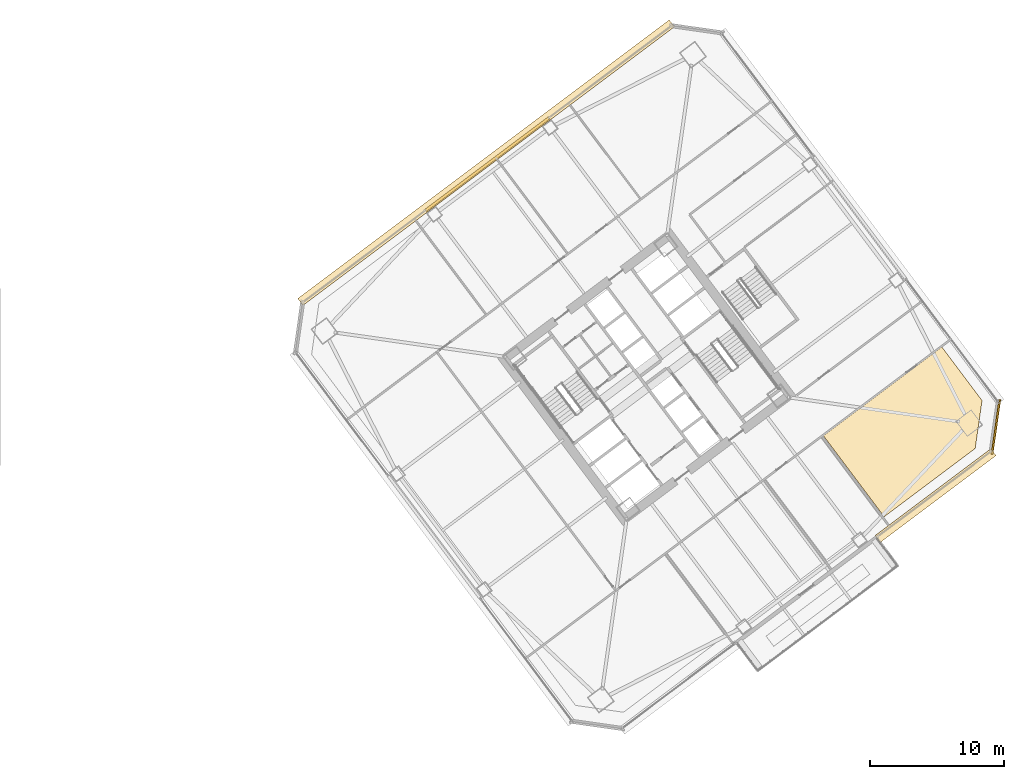
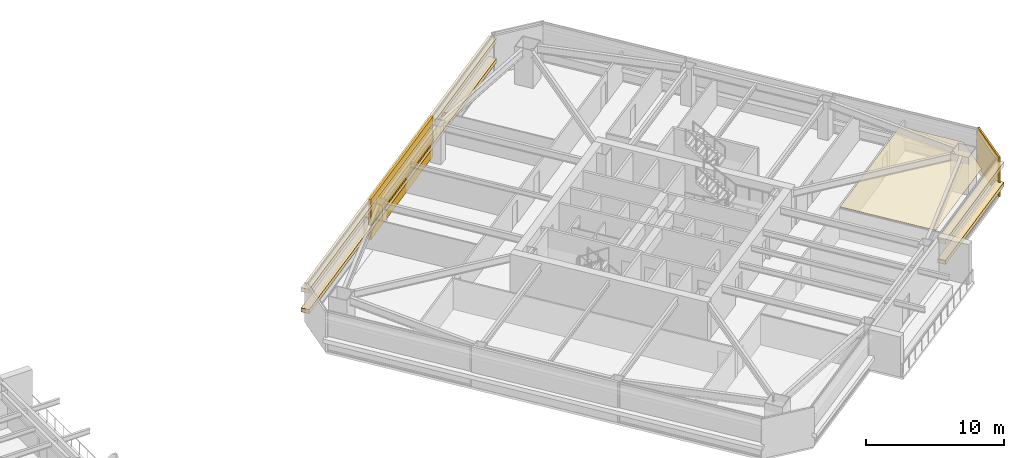
# One storey, part 43 of 44: 7 coverings.
"""IFC4 building model written with IfcOpenShell, lengths in metres."""

from ifc_helpers import new_model, si_unit, direction, frame, origin, origin_2d, place, context, subcontext, project, spatial, polyline, rectangle, outline, extrude, material, layer, layer_set, type_object, element, save


model = new_model("IFC4")

# Units and contexts
model_context = context("Model", 3, precision=1e-05, world=origin(), true_north=direction((0.0, 1.0)))
body_context = subcontext(model_context, "Body", "Model", "MODEL_VIEW")
ifc_project = project(units=[si_unit("LENGTHUNIT", "METRE"), si_unit("AREAUNIT", "SQUARE_METRE"), si_unit("VOLUMEUNIT", "CUBIC_METRE"), si_unit("PLANEANGLEUNIT", "RADIAN"), si_unit("MASSUNIT", "GRAM", prefix="KILO")], contexts=[model_context])

# Site, building, storey
site_placement = place(None, origin())
site = spatial("IfcSite", under=ifc_project, at=site_placement, CompositionType="ELEMENT")
building_placement = place(site_placement, origin())
building = spatial("IfcBuilding", under=site, at=building_placement, Name="Tashvorn Skyway Center", CompositionType="ELEMENT")
storey_placement = place(building_placement, frame((0.0, 0.0, 102.699951171875)))
storey = spatial("IfcBuildingStorey", under=building, at=storey_placement, Name="L27", CompositionType="ELEMENT", Elevation=102.699951171875)

# Coverings
ifc_material_1 = material(Name="Precast concrete C40/50", Category="concrete")
ifc_layer_1 = layer(ifc_material_1, 0.199951171875)
ifc_layer_set_1 = layer_set([ifc_layer_1], Name="Precast concrete C40/50")
covering_type_1 = type_object("IfcCoveringType", Name="COV-BRACE-CLAD", PredefinedType="CLADDING", material=ifc_layer_set_1)
covering_1_placement = place(storey_placement, frame((102.072021484375, 47.904052734375, 0.0), z_axis=(0.0, 0.0, 1.0), x_axis=(0.799999996291, 0.600000004945, 0.0)))
element("IfcCovering", 1, at=covering_1_placement, inside=storey, type_object=covering_type_1, Name="Tower 2 L27 North Unitised Curtain Wall Mega-Brace Cladding Band 1", PredefinedType="CLADDING", context=body_context, shape_type="SweptSolid", body=[
    extrude(rectangle(XDim=11.52001953125, YDim=0.199951171875, at=origin_2d()), origin(), (0.0, 0.0, 1.0), 3.550048828125),
])
ifc_material_2 = material(Name="Mineral-fibre acoustic ceiling tile on suspended grid")
ifc_layer_2 = layer(ifc_material_2, 0.02001953125)
ifc_layer_set_2 = layer_set([ifc_layer_2], Name="Mineral-fibre acoustic ceiling tile on suspended grid")
covering_type_2 = type_object("IfcCoveringType", Name="COV-CEIL-20", PredefinedType="CEILING", material=ifc_layer_set_2)
covering_2_placement = place(storey_placement, frame((0.0, 0.0, 2.68310546875)))
element("IfcCovering", 2, at=covering_2_placement, inside=storey, type_object=covering_type_2, Name="Tower 2 L27 Collaborative Studio Acoustic Ceiling", PredefinedType="CEILING", context=body_context, shape_type="SweptSolid", body=[
    extrude(outline(polyline([(131.72412109375, 21.568115234375), (127.181884765625, 27.6240234375), (136.030029296875, 34.260009765625), (139.035888671875, 30.251953125), (138.52392578125, 26.66796875), (131.72412109375, 21.568115234375)])), origin(), (0.0, 0.0, 1.0), 0.02001953125),
])
ifc_material_3 = material(Name="Perforated ceramic-coated bronze aluminium solar screen", Category="aluminium")
ifc_layer_3 = layer(ifc_material_3, 0.85009765625)
ifc_layer_set_3 = layer_set([ifc_layer_3], Name="Perforated ceramic-coated bronze aluminium solar screen")
covering_type_3 = type_object("IfcCoveringType", Name="COV-SOLAR-BAND", PredefinedType="CLADDING", material=ifc_layer_set_3)
for number, where, z_axis, x_axis, name in (
    (3, (135.56396484375, 23.14794921875, 0.919921875), (0.0, 0.0, 1.0), (-0.799999996291, -0.600000004945, 0.0), "L27 Perforated Ceramic-Metal Solar Screen Louvre Band South 1"),
    (4, (135.56396484375, 23.14794921875, 2.72021484375), (0.0, 0.0, 1.0), (-0.799999996291, -0.600000004945, 0.0), "L27 Perforated Ceramic-Metal Solar Screen Louvre Band South 2"),
):
    element("IfcCovering", number, at=place(storey_placement, frame(where, z_axis=z_axis, x_axis=x_axis)), inside=storey, type_object=covering_type_3, Name=name, PredefinedType="CLADDING", context=body_context, shape_type="SweptSolid", body=[
        extrude(rectangle(XDim=10.800048828125, YDim=0.639892578125, at=origin_2d()), origin(), (0.0, 0.0, 1.0), 0.360107421875),
    ])
for number, where, z_axis, x_axis, name in (
    (5, (101.988037109375, 48.01611328125, 0.919921875), (0.0, 0.0, 1.0), (0.799999996291, 0.600000004945, 0.0), "L27 Perforated Ceramic-Metal Solar Screen Louvre Band North 1"),
    (6, (101.988037109375, 48.01611328125, 2.72021484375), (0.0, 0.0, 1.0), (0.799999996291, 0.600000004945, 0.0), "L27 Perforated Ceramic-Metal Solar Screen Louvre Band North 2"),
):
    element("IfcCovering", number, at=place(storey_placement, frame(where, z_axis=z_axis, x_axis=x_axis)), inside=storey, type_object=covering_type_3, Name=name, PredefinedType="CLADDING", context=body_context, shape_type="SweptSolid", body=[
        extrude(rectangle(XDim=34.679931640625, YDim=0.639892578125, at=origin_2d()), origin(), (0.0, 0.0, 1.0), 0.360107421875),
    ])
ifc_layer_4 = layer(ifc_material_1, 0.35009765625)
ifc_layer_set_4 = layer_set([ifc_layer_4], Name="Precast concrete C40/50")
covering_type_4 = type_object("IfcCoveringType", Name="COV-STONE-TRIM", PredefinedType="CLADDING", material=ifc_layer_set_4)
covering_3_placement = place(storey_placement, frame((140.068115234375, 28.27587890625, 0.02001953125), z_axis=(0.0, 0.0, 1.0), x_axis=(0.141421350118, 0.989949494535, 0.0)))
element("IfcCovering", 7, at=covering_3_placement, inside=storey, type_object=covering_type_4, Name="Tower 2 L27 SE Mojave Limestone Corner Quoin", PredefinedType="CLADDING", context=body_context, shape_type="SweptSolid", body=[
    extrude(rectangle(XDim=4.119873046875, YDim=0.139892578125, at=origin_2d()), origin(), (0.0, 0.0, 1.0), 3.510009765625),
])

save(model, "model.ifc")
